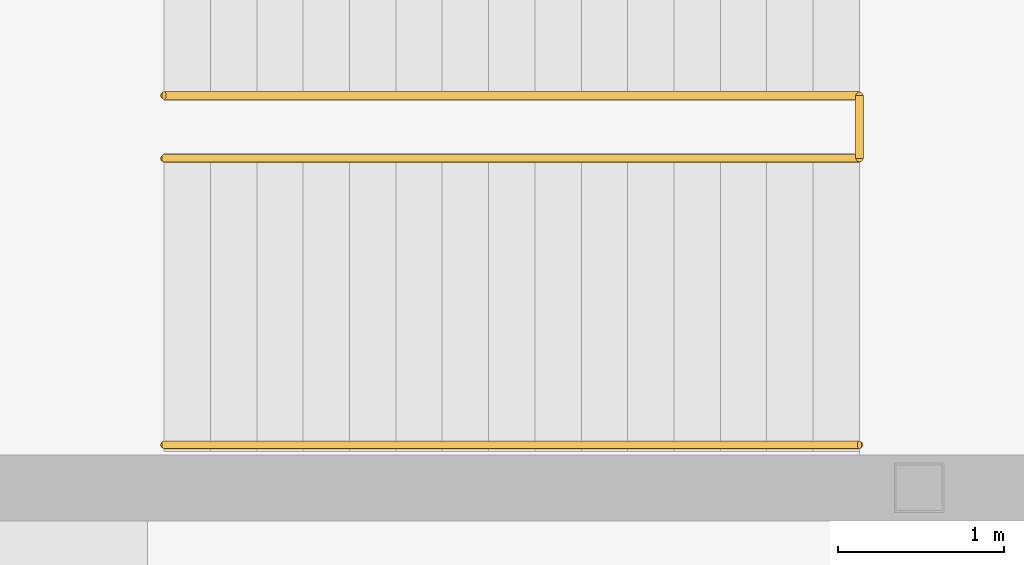
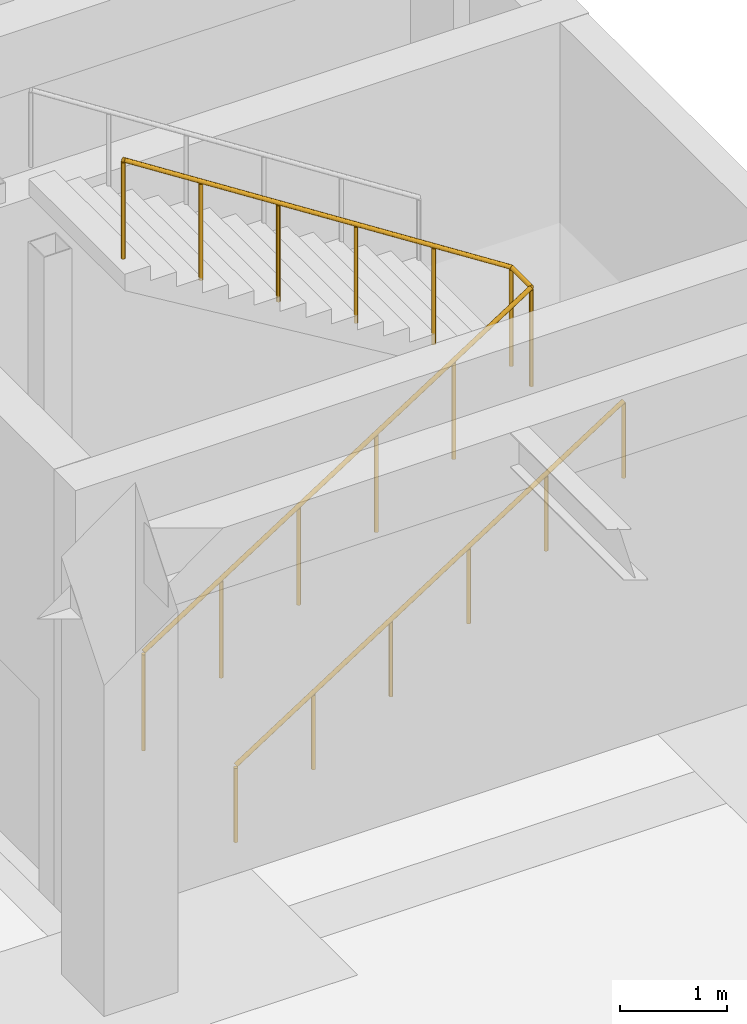
# One storey, part 51 of 56: 4 railings.
"""IFC4 building model written with IfcOpenShell, lengths in metres."""

import ifcopenshell
import ifcopenshell.guid

model = None  # the IFC model being written
_history = None  # IfcOwnerHistory: only IFC2X3 demands one
_inside = {}  # id of a spatial element -> (the spatial element, [elements in it])
_under = {}  # id of a project, library or spatial element -> (it, [spatial elements below it])
_declared = {}  # id of a project -> (the project, [libraries it declares])
_typed = {}  # id of a type object -> (the type object, [elements of that type])
_made_of = {}  # id of a material, layer set ... -> (it, [elements and type objects made of it])


def new_model(schema):
    """Start an empty IFC model of exactly this schema.

    Asked for "IFC4X3", IfcOpenShell would pick the latest addendum, in which some entities
    have other attributes; the version numbers below select the first issue.
    IFC2X3 requires an IfcOwnerHistory on every rooted entity: one is made here for all.
    """
    global model, _history
    if schema == "IFC4X3":
        model = ifcopenshell.file(schema_version=(4, 3, 0, 0))
    else:
        model = ifcopenshell.file(schema=schema)
    _inside.clear()
    _under.clear()
    _declared.clear()
    _typed.clear()
    _made_of.clear()
    _history = None
    if model.schema == "IFC2X3":
        org = make("IfcOrganization", Name="unknown")
        user = make(
            "IfcPersonAndOrganization",
            ThePerson=make("IfcPerson", FamilyName="unknown"),
            TheOrganization=org,
        )
        app = make(
            "IfcApplication",
            ApplicationDeveloper=org,
            Version="unknown",
            ApplicationFullName="unknown",
            ApplicationIdentifier="unknown",
        )
        _history = make(
            "IfcOwnerHistory",
            OwningUser=user,
            OwningApplication=app,
            ChangeAction="ADDED",
            CreationDate=0,
        )
    return model


def make(cls, **values):
    """One entity of the class cls with the attributes given. An attribute that is None is left unset."""
    return model.create_entity(
        cls, **{name: value for name, value in values.items() if value is not None}
    )


def rooted(cls, **values):
    """An entity with a GlobalId (a new one), such as an element, a storey or a relation."""
    return make(cls, GlobalId=ifcopenshell.guid.new(), OwnerHistory=_history, **values)


def si_unit(unit_type, name, prefix=None):
    """IfcSIUnit, for example si_unit("LENGTHUNIT", "METRE", prefix="MILLI")."""
    return make("IfcSIUnit", UnitType=unit_type, Prefix=prefix, Name=name)


def assignment(units):
    """IfcUnitAssignment: the units of a project."""
    return None if units is None else make("IfcUnitAssignment", Units=units)


def point(xyz):
    """IfcCartesianPoint."""
    return None if xyz is None else make("IfcCartesianPoint", Coordinates=xyz)


def direction(xyz):
    """IfcDirection."""
    return None if xyz is None else make("IfcDirection", DirectionRatios=xyz)


def frame(location, z_axis=None, x_axis=None):
    """IfcAxis2Placement3D, a coordinate frame: its origin and axes. An axis left out is left unset."""
    return make(
        "IfcAxis2Placement3D",
        Location=point(location),
        Axis=direction(z_axis),
        RefDirection=direction(x_axis),
    )


def frame_2d(location, x_axis=None):
    """IfcAxis2Placement2D, a coordinate frame in the plane: its origin and x axis."""
    return make(
        "IfcAxis2Placement2D", Location=point(location), RefDirection=direction(x_axis)
    )


def origin():
    """The frame at (0, 0, 0) with its axes left unset."""
    return frame((0.0, 0.0, 0.0))


def origin_2d():
    """The frame at (0, 0) in the plane with its x axis left unset."""
    return frame_2d((0.0, 0.0))


def place(relative_to, where):
    """IfcLocalPlacement: puts the frame where relative to a parent placement (None: the world)."""
    return make(
        "IfcLocalPlacement", PlacementRelTo=relative_to, RelativePlacement=where
    )


def context(
    kind, dimensions, precision=None, world=None, true_north=None, identifier=None
):
    """IfcGeometricRepresentationContext, for example the 3D "Model" context."""
    return make(
        "IfcGeometricRepresentationContext",
        ContextIdentifier=identifier,
        ContextType=kind,
        CoordinateSpaceDimension=dimensions,
        Precision=precision,
        WorldCoordinateSystem=world,
        TrueNorth=true_north,
    )


def subcontext(parent, identifier, kind, view, scale=None):
    """IfcGeometricRepresentationSubContext, for example "Body" below "Model"."""
    return make(
        "IfcGeometricRepresentationSubContext",
        ContextIdentifier=identifier,
        ContextType=kind,
        ParentContext=parent,
        TargetScale=scale,
        TargetView=view,
    )


def project(units=None, contexts=None):
    """IfcProject with its units and contexts."""
    return rooted(
        "IfcProject",
        Name="project",
        RepresentationContexts=contexts,
        UnitsInContext=assignment(units),
    )


def spatial(cls, under=None, at=None, **own):
    """A site, building, storey or space (cls), placed at a placement, below another one or the project."""
    s = rooted(cls, ObjectPlacement=at, **own)
    if under is not None:
        _under.setdefault(under.id(), (under, []))[1].append(s)
    return s


def profile(cls, at=None, kind="AREA", **sizes):
    """A parametric profile (cls). Its sizes go by their IFC names, for example OverallWidth=200.0."""
    return make(cls, ProfileType=kind, Position=at, **sizes)


def circle(**sizes):
    """IfcCircleProfileDef."""
    return profile("IfcCircleProfileDef", **sizes)


def extrude(swept, where, along, depth):
    """IfcExtrudedAreaSolid: the profile swept, set in the frame where, extruded along a direction by depth."""
    return make(
        "IfcExtrudedAreaSolid",
        SweptArea=swept,
        Position=where,
        ExtrudedDirection=direction(along),
        Depth=depth,
    )


def shape(context_of_items, identifier, shape_type, items):
    """IfcShapeRepresentation: the items that make up one representation, for example the "Body"."""
    return make(
        "IfcShapeRepresentation",
        ContextOfItems=context_of_items,
        RepresentationIdentifier=identifier,
        RepresentationType=shape_type,
        Items=items,
    )


def material(Name=None, Category=None):
    """IfcMaterial."""
    return make("IfcMaterial", Name=Name, Category=Category)


def layer(
    of_material, thickness, ventilated=None, Name=None, Category=None, Priority=None
):
    """IfcMaterialLayer: one layer of a wall or slab, of a material (None: an air gap)."""
    return make(
        "IfcMaterialLayer",
        Material=of_material,
        LayerThickness=thickness,
        IsVentilated=ventilated,
        Name=Name,
        Category=Category,
        Priority=Priority,
    )


def layer_set(layers, Name=None):
    """IfcMaterialLayerSet."""
    return make("IfcMaterialLayerSet", MaterialLayers=layers, LayerSetName=Name)


def made_of(thing, what):
    """Note that an element or type object is made of a material, layer set ...; save() writes the relation."""
    if what is not None:
        _made_of.setdefault(what.id(), (what, []))[1].append(thing)
    return thing


def type_object(cls, material=None, **own):
    """A type object (cls), such as IfcWallType, which elements share."""
    return made_of(rooted(cls, **own), material)


def element(
    cls,
    number,
    at=None,
    inside=None,
    cuts=None,
    type_object=None,
    material=None,
    context=None,
    identifier="Body",
    shape_type=None,
    held_by="IfcProductDefinitionShape",
    body=None,
    shapes=None,
    **own,
):
    """One element of the class cls, such as IfcWall. Its Tag is "e" and its number.

    at: its placement. inside: the storey or other place that contains it. cuts: it is an
    opening in that element (IfcRelVoidsElement). A single representation is given by context,
    identifier, shape_type and body (its items); several are given by shapes. held_by: the class
    of the entity that holds the representations. save() writes the other relations.
    """
    e = rooted(cls, Tag="e%d" % number, ObjectPlacement=at, **own)
    if body is not None:
        shapes = [shape(context, identifier, shape_type, body)]
    if shapes is not None:
        e.Representation = make(held_by, Representations=shapes)
    if inside is not None:
        _inside.setdefault(inside.id(), (inside, []))[1].append(e)
    if cuts is not None:
        rooted(
            "IfcRelVoidsElement", RelatingBuildingElement=cuts, RelatedOpeningElement=e
        )
    if type_object is not None:
        _typed.setdefault(type_object.id(), (type_object, []))[1].append(e)
    return made_of(e, material)


def aggregate(whole, parts):
    """IfcRelAggregates: a whole, such as a stair, and the parts it consists of."""
    return rooted("IfcRelAggregates", RelatingObject=whole, RelatedObjects=parts)


def save(model, path):
    """Write the relations noted so far, then the file.

    IfcRelAggregates (storeys below a building ...), IfcRelContainedInSpatialStructure (elements
    in a storey), IfcRelDefinesByType, IfcRelAssociatesMaterial and IfcRelDeclares: one each for
    every whole, place, type object, material and project.
    """
    for whole, parts in _under.values():
        aggregate(whole, parts)
    for where, things in _inside.values():
        rooted(
            "IfcRelContainedInSpatialStructure",
            RelatedElements=things,
            RelatingStructure=where,
        )
    for kind, things in _typed.values():
        rooted("IfcRelDefinesByType", RelatedObjects=things, RelatingType=kind)
    for what, things in _made_of.values():
        rooted("IfcRelAssociatesMaterial", RelatedObjects=things, RelatingMaterial=what)
    for by, libraries in _declared.values():
        rooted("IfcRelDeclares", RelatingContext=by, RelatedDefinitions=libraries)
    model.write(path)


model = new_model("IFC4")

# Units and contexts
model_context = context("Model", 3, precision=1e-05, world=origin(), true_north=direction((0.0, 1.0)))
body_context = subcontext(model_context, "Body", "Model", "MODEL_VIEW")
ifc_project = project(units=[si_unit("LENGTHUNIT", "METRE"), si_unit("AREAUNIT", "SQUARE_METRE"), si_unit("VOLUMEUNIT", "CUBIC_METRE"), si_unit("PLANEANGLEUNIT", "RADIAN"), si_unit("MASSUNIT", "GRAM", prefix="KILO")], contexts=[model_context])

# Site, building, storey
site_placement = place(None, origin())
site = spatial("IfcSite", under=ifc_project, at=site_placement, CompositionType="ELEMENT")
building_placement = place(site_placement, origin())
building = spatial("IfcBuilding", under=site, at=building_placement, Name="Naruveol Harbour Congress Hotel", CompositionType="ELEMENT")
storey_placement = place(building_placement, frame((0.0, 0.0, -5.39990234375)))
storey = spatial("IfcBuildingStorey", under=building, at=storey_placement, Name="B01", CompositionType="ELEMENT", Elevation=-5.39990234375)

# Railings
ifc_material_1 = material(Name="Stainless Steel 304", Category="steel")
ifc_layer_1 = layer(ifc_material_1, 0.0419921875)
ifc_layer_set_1 = layer_set([ifc_layer_1], Name="Stainless Steel 304")
railing_type_1 = type_object("IfcRailingType", Name="STAIR WALL MOUNTED HANDRAIL 900", PredefinedType="HANDRAIL", material=ifc_layer_set_1)
railing_1_placement = place(storey_placement, frame((119.699951171875, 57.4599609375, 0.0)))
element("IfcRailing", 1, at=railing_1_placement, inside=storey, type_object=railing_type_1, Name="Stair ST9 B01 lower wall handrail", PredefinedType="HANDRAIL", context=body_context, shape_type="SweptSolid", body=[
    extrude(circle(Radius=0.02392578125, at=origin_2d()), frame((0.0, 0.0, 0.8759765625), z_axis=(0.841180064094, 0.0, 0.540755119968), x_axis=(0.0, 1.0, 0.0)), (0.0, 0.0, 1.0), 4.992919921875),
    extrude(circle(Radius=0.02099609375, at=origin_2d()), origin(), (0.0, 0.0, 1.0), 0.851806640625),
    extrude(circle(Radius=0.02099609375, at=origin_2d()), frame((0.840087890625, 0.0, 0.5400390625)), (0.0, 0.0, 1.0), 0.851806640625),
    extrude(circle(Radius=0.02099609375, at=origin_2d()), frame((1.679931640625, 0.0, 1.080078125)), (0.0, 0.0, 1.0), 0.851806640625),
    extrude(circle(Radius=0.02099609375, at=origin_2d()), frame((2.52001953125, 0.0, 1.619873046875)), (0.0, 0.0, 1.0), 0.851806640625),
    extrude(circle(Radius=0.02099609375, at=origin_2d()), frame((3.35986328125, 0.0, 2.159912109375)), (0.0, 0.0, 1.0), 0.851806640625),
    extrude(circle(Radius=0.02099609375, at=origin_2d()), frame((4.199951171875, 0.0, 2.699951171875)), (0.0, 0.0, 1.0), 0.851806640625),
])
ifc_material_2 = material(Name="Steel SN490", Category="steel")
ifc_layer_2 = layer(ifc_material_2, 0.044921875)
ifc_layer_set_2 = layer_set([ifc_layer_2], Name="Steel SN490")
railing_type_2 = type_object("IfcRailingType", Name="STAIRWELL STEEL GUARDRAIL 1150", PredefinedType="GUARDRAIL", material=ifc_layer_set_2)
railing_2_placement = place(storey_placement, frame((119.699951171875, 59.18994140625, 0.0)))
element("IfcRailing", 2, at=railing_2_placement, inside=storey, type_object=railing_type_2, Name="Stair ST9 B01 lower well guard", PredefinedType="GUARDRAIL", context=body_context, shape_type="SweptSolid", body=[
    extrude(circle(Radius=0.02392578125, at=origin_2d()), frame((0.0, 0.0, 1.1259765625), z_axis=(0.841180064094, 0.0, 0.540755119968), x_axis=(0.0, 1.0, 0.0)), (0.0, 0.0, 1.0), 4.992919921875),
    extrude(circle(Radius=0.02099609375, at=origin_2d()), origin(), (0.0, 0.0, 1.0), 1.101806640625),
    extrude(circle(Radius=0.02099609375, at=origin_2d()), frame((0.840087890625, 0.0, 0.5400390625)), (0.0, 0.0, 1.0), 1.101806640625),
    extrude(circle(Radius=0.02099609375, at=origin_2d()), frame((1.679931640625, 0.0, 1.080078125)), (0.0, 0.0, 1.0), 1.101806640625),
    extrude(circle(Radius=0.02099609375, at=origin_2d()), frame((2.52001953125, 0.0, 1.619873046875)), (0.0, 0.0, 1.0), 1.101806640625),
    extrude(circle(Radius=0.02099609375, at=origin_2d()), frame((3.35986328125, 0.0, 2.159912109375)), (0.0, 0.0, 1.0), 1.101806640625),
    extrude(circle(Radius=0.02099609375, at=origin_2d()), frame((4.199951171875, 0.0, 2.699951171875)), (0.0, 0.0, 1.0), 1.101806640625),
])
railing_3_placement = place(storey_placement, frame((123.89990234375, 59.18994140625, 2.699951171875)))
element("IfcRailing", 3, at=railing_3_placement, inside=storey, type_object=railing_type_2, Name="Stair ST9 B01 half-landing slot guard", PredefinedType="GUARDRAIL", context=body_context, shape_type="SweptSolid", body=[
    extrude(circle(Radius=0.02392578125, at=origin_2d()), frame((0.0, 0.0, 1.1259765625), z_axis=(0.0, 1.0, 0.0), x_axis=(-1.0, 0.0, 0.0)), (0.0, 0.0, 1.0), 0.380126953125),
    extrude(circle(Radius=0.02099609375, at=origin_2d()), origin(), (0.0, 0.0, 1.0), 1.101806640625),
    extrude(circle(Radius=0.02099609375, at=origin_2d()), frame((0.0, 0.380126953125, 0.0)), (0.0, 0.0, 1.0), 1.101806640625),
])
railing_4_placement = place(storey_placement, frame((123.89990234375, 59.570068359375, 2.699951171875)))
element("IfcRailing", 4, at=railing_4_placement, inside=storey, type_object=railing_type_2, Name="Stair ST9 B01 upper well guard", PredefinedType="GUARDRAIL", context=body_context, shape_type="SweptSolid", body=[
    extrude(circle(Radius=0.02392578125, at=origin_2d()), frame((0.0, 0.0, 1.1259765625), z_axis=(-0.841180064094, 0.0, 0.540755119968), x_axis=(0.0, -1.0, 0.0)), (0.0, 0.0, 1.0), 4.992919921875),
    extrude(circle(Radius=0.02099609375, at=origin_2d()), origin(), (0.0, 0.0, 1.0), 1.101806640625),
    extrude(circle(Radius=0.02099609375, at=origin_2d()), frame((-0.840087890625, 0.0, 0.5400390625)), (0.0, 0.0, 1.0), 1.101806640625),
    extrude(circle(Radius=0.02099609375, at=origin_2d()), frame((-1.679931640625, 0.0, 1.080078125)), (0.0, 0.0, 1.0), 1.101806640625),
    extrude(circle(Radius=0.02099609375, at=origin_2d()), frame((-2.52001953125, 0.0, 1.619873046875)), (0.0, 0.0, 1.0), 1.101806640625),
    extrude(circle(Radius=0.02099609375, at=origin_2d()), frame((-3.35986328125, 0.0, 2.159912109375)), (0.0, 0.0, 1.0), 1.101806640625),
    extrude(circle(Radius=0.02099609375, at=origin_2d()), frame((-4.199951171875, 0.0, 2.699951171875)), (0.0, 0.0, 1.0), 1.101806640625),
])

save(model, "model.ifc")
